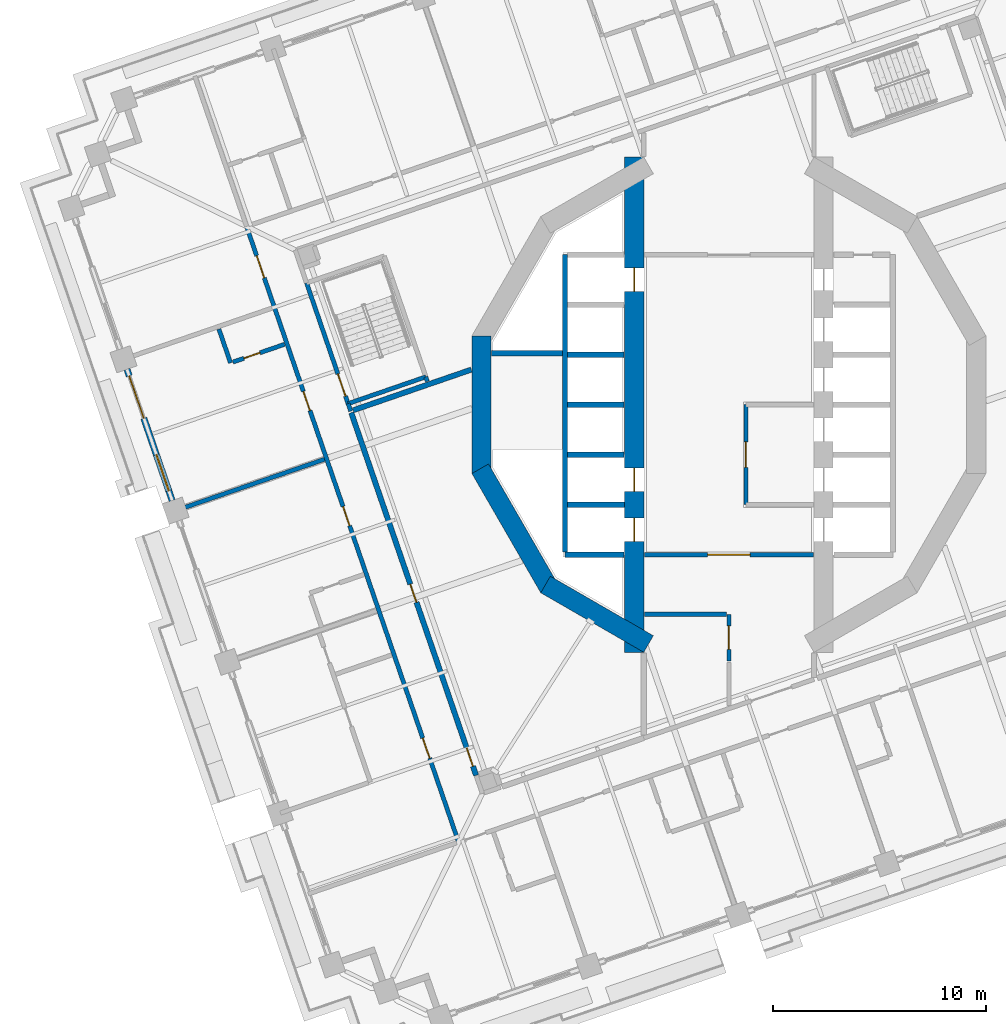
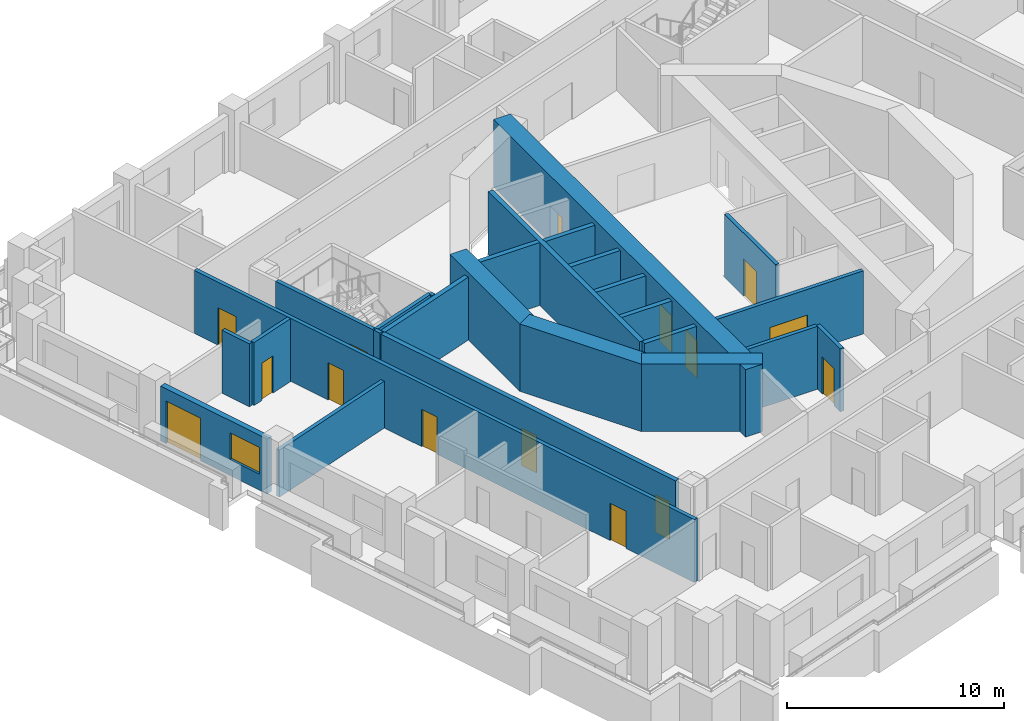
# One storey, part 5 of 19: 26 walls, 15 doors, 1 window, 16 openings.
"""IFC4 building model written with IfcOpenShell, lengths in metres."""

from ifc_helpers import new_model, si_unit, direction, frame, frame_2d, origin, place, context, subcontext, project, spatial, rectangle, extrude, material, layer, layer_set, type_object, element, fill, save


model = new_model("IFC4")

# Units and contexts
model_context = context("Model", 3, precision=1e-05, world=origin(), true_north=direction((0.0, 1.0)))
body_context = subcontext(model_context, "Body", "Model", "MODEL_VIEW")
ifc_project = project(units=[si_unit("LENGTHUNIT", "METRE"), si_unit("AREAUNIT", "SQUARE_METRE"), si_unit("VOLUMEUNIT", "CUBIC_METRE"), si_unit("PLANEANGLEUNIT", "RADIAN"), si_unit("MASSUNIT", "GRAM", prefix="KILO")], contexts=[model_context])

# Site, building, storey
site_placement = place(None, origin())
site = spatial("IfcSite", under=ifc_project, at=site_placement, CompositionType="ELEMENT")
building_placement = place(site_placement, origin())
building = spatial("IfcBuilding", under=site, at=building_placement, Name="Cantera Rosa Tower", CompositionType="ELEMENT")
storey_placement = place(building_placement, frame((0.0, 0.0, 111.699951171875)))
storey = spatial("IfcBuildingStorey", under=building, at=storey_placement, Name="L22", CompositionType="ELEMENT", Elevation=111.699951171875)

# Wall, openings, doors
ifc_material_1 = material(Name="Gypsum board partition")
ifc_layer_1 = layer(ifc_material_1, 0.199951171875)
ifc_layer_set_1 = layer_set([ifc_layer_1], Name="CORRIDOR WALL 200 H3550")
wall_type_1 = type_object("IfcWallType", Name="CORRIDOR WALL 200 H3550", PredefinedType="PARTITIONING", material=ifc_layer_set_1)
wall_1_placement = place(storey_placement, frame((-22.656005859375, 8.359375, 0.0), z_axis=(0.0, 0.0, 1.0), x_axis=(0.325572380533, -0.945517120434, 0.0)))
wall_1 = element("IfcWall", 1, at=wall_1_placement, inside=storey, type_object=wall_type_1, Name="CORRIDOR WALL L22-004", PredefinedType="PARTITIONING", context=body_context, shape_type="SweptSolid", body=[
    extrude(rectangle(XDim=30.580078125, YDim=0.199951171875, at=frame_2d((15.2900390625, 0.0))), origin(), (0.0, 0.0, 1.0), 3.550048828125),
])
opening_1_placement = place(wall_1_placement, frame((8.18505859375, 0.0, 0.0)))
opening_1 = element("IfcOpeningElement", 2, at=opening_1_placement, cuts=wall_1, Name="Opening L22-027", PredefinedType="OPENING", context=body_context, shape_type="SweptSolid", body=[
    extrude(rectangle(XDim=0.949951171875, YDim=2.10009765625, at=frame_2d((0.47509765625, 1.050048828125))), frame((0.0, 0.10986328125, 0.0), z_axis=(0.0, -1.0, 0.0), x_axis=(1.0, 0.0, 0.0)), (0.0, 0.0, 1.0), 0.219970703125),
])
opening_2_placement = place(wall_1_placement, frame((13.905029296875, 0.0, 0.0)))
opening_2 = element("IfcOpeningElement", 3, at=opening_2_placement, cuts=wall_1, Name="Opening L22-029", PredefinedType="OPENING", context=body_context, shape_type="SweptSolid", body=[
    extrude(rectangle(XDim=0.949951171875, YDim=2.10009765625, at=frame_2d((0.47509765625, 1.050048828125))), frame((0.0, 0.10986328125, 0.0), z_axis=(0.0, -1.0, 0.0), x_axis=(1.0, 0.0, 0.0)), (0.0, 0.0, 1.0), 0.219970703125),
])
opening_3_placement = place(wall_1_placement, frame((25.409912109375, 0.0, 0.0)))
opening_3 = element("IfcOpeningElement", 4, at=opening_3_placement, cuts=wall_1, Name="Opening L22-031", PredefinedType="OPENING", context=body_context, shape_type="SweptSolid", body=[
    extrude(rectangle(XDim=1.0, YDim=2.10009765625, at=frame_2d((0.5, 1.050048828125))), frame((0.0, 0.10986328125, 0.0), z_axis=(0.0, -1.0, 0.0), x_axis=(1.0, 0.0, 0.0)), (0.0, 0.0, 1.0), 0.219970703125),
])
opening_4_placement = place(wall_1_placement, frame((1.43994140625, 0.0, 0.0)))
opening_4 = element("IfcOpeningElement", 5, at=opening_4_placement, cuts=wall_1, Name="Opening L22-034", PredefinedType="OPENING", context=body_context, shape_type="SweptSolid", body=[
    extrude(rectangle(XDim=1.10009765625, YDim=2.10009765625, at=frame_2d((0.550048828125, 1.050048828125))), frame((0.0, 0.10986328125, 0.0), z_axis=(0.0, -1.0, 0.0), x_axis=(1.0, 0.0, 0.0)), (0.0, 0.0, 1.0), 0.219970703125),
])
ifc_material_2 = material(Name="Timber door leaf", Category="wood")
door_type_1 = type_object("IfcDoorType", Name="ENTRANCE DOOR 1000x2100", OperationType="NOTDEFINED", PredefinedType="DOOR", material=ifc_material_2)
door_1_placement = place(opening_3_placement, origin())
door_1 = element("IfcDoor", 6, at=door_1_placement, inside=storey, type_object=door_type_1, Name="DOOR L22-031", OperationType="NOTDEFINED", OverallHeight=2.10009765625, OverallWidth=1.0, PredefinedType="DOOR", context=body_context, shape_type="SweptSolid", body=[
    extrude(rectangle(XDim=1.0, YDim=2.10009765625, at=frame_2d((0.5, 1.050048828125))), frame((0.0, 0.02490234375, 0.0), z_axis=(0.0, -1.0, 0.0), x_axis=(1.0, 0.0, 0.0)), (0.0, 0.0, 1.0), 0.050048828125),
])
fill(opening_3, door_1)
ifc_material_3 = material(Name="Timber door leaf", Category="wood")
door_type_2 = type_object("IfcDoorType", Name="ROOM DOOR 1100x2100", OperationType="NOTDEFINED", PredefinedType="DOOR", material=ifc_material_3)
door_2_placement = place(opening_4_placement, origin())
door_2 = element("IfcDoor", 7, at=door_2_placement, inside=storey, type_object=door_type_2, Name="DOOR L22-034", OperationType="NOTDEFINED", OverallHeight=2.10009765625, OverallWidth=1.10009765625, PredefinedType="DOOR", context=body_context, shape_type="SweptSolid", body=[
    extrude(rectangle(XDim=1.10009765625, YDim=2.10009765625, at=frame_2d((0.550048828125, 1.050048828125))), frame((0.0, 0.02490234375, 0.0), z_axis=(0.0, -1.0, 0.0), x_axis=(1.0, 0.0, 0.0)), (0.0, 0.0, 1.0), 0.050048828125),
])
fill(opening_4, door_2)
ifc_material_4 = material(Name="Timber door leaf", Category="wood")
door_type_3 = type_object("IfcDoorType", Name="ROOM DOOR 950x2100", OperationType="NOTDEFINED", PredefinedType="DOOR", material=ifc_material_4)
door_3_placement = place(opening_1_placement, origin())
door_3 = element("IfcDoor", 8, at=door_3_placement, inside=storey, type_object=door_type_3, Name="DOOR L22-027", OperationType="NOTDEFINED", OverallHeight=2.10009765625, OverallWidth=0.949951171875, PredefinedType="DOOR", context=body_context, shape_type="SweptSolid", body=[
    extrude(rectangle(XDim=0.949951171875, YDim=2.10009765625, at=frame_2d((0.47509765625, 1.050048828125))), frame((0.0, 0.02490234375, 0.0), z_axis=(0.0, -1.0, 0.0), x_axis=(1.0, 0.0, 0.0)), (0.0, 0.0, 1.0), 0.050048828125),
])
fill(opening_1, door_3)
door_4_placement = place(opening_2_placement, origin())
door_4 = element("IfcDoor", 9, at=door_4_placement, inside=storey, type_object=door_type_3, Name="DOOR L22-029", OperationType="NOTDEFINED", OverallHeight=2.10009765625, OverallWidth=0.949951171875, PredefinedType="DOOR", context=body_context, shape_type="SweptSolid", body=[
    extrude(rectangle(XDim=0.949951171875, YDim=2.10009765625, at=frame_2d((0.47509765625, 1.050048828125))), frame((0.0, 0.02490234375, 0.0), z_axis=(0.0, -1.0, 0.0), x_axis=(1.0, 0.0, 0.0)), (0.0, 0.0, 1.0), 0.050048828125),
])
fill(opening_2, door_4)

# Wall
wall_2_placement = place(storey_placement, frame((-17.8916015625, 0.05126953125, 0.0), z_axis=(0.0, 0.0, 1.0), x_axis=(0.325627937911, -0.945497988391, 0.0)))
element("IfcWall", 10, at=wall_2_placement, inside=storey, type_object=wall_type_1, Name="CORRIDOR WALL L22-018", PredefinedType="PARTITIONING", context=body_context, shape_type="SweptSolid", body=[
    extrude(rectangle(XDim=0.373291015625, YDim=0.199951171875, at=frame_2d((0.1865234375, 0.0))), origin(), (0.0, 0.0, 1.0), 3.550048828125),
])

# Wall, opening, door
wall_3_placement = place(storey_placement, frame((0.0, -12.044189453125, 0.0), z_axis=(0.0, 0.0, 1.0), x_axis=(0.0, 1.0, 0.0)))
wall_3 = element("IfcWall", 11, at=wall_3_placement, inside=storey, type_object=wall_type_1, Name="CORRIDOR WALL L22-061", PredefinedType="PARTITIONING", context=body_context, shape_type="SweptSolid", body=[
    extrude(rectangle(XDim=2.194091796875, YDim=0.199951171875, at=frame_2d((1.09716796875, 0.0))), origin(), (0.0, 0.0, 1.0), 3.550048828125),
])
opening_5_placement = place(wall_3_placement, frame((0.547119140625, 0.0, 0.0)))
opening_5 = element("IfcOpeningElement", 12, at=opening_5_placement, cuts=wall_3, Name="Opening L22-012", PredefinedType="OPENING", context=body_context, shape_type="SweptSolid", body=[
    extrude(rectangle(XDim=1.10009765625, YDim=2.10009765625, at=frame_2d((0.550048828125, 1.050048828125))), frame((0.0, 0.10986328125, 0.0), z_axis=(0.0, -1.0, 0.0), x_axis=(1.0, 0.0, 0.0)), (0.0, 0.0, 1.0), 0.219970703125),
])
door_5_placement = place(opening_5_placement, origin())
door_5 = element("IfcDoor", 13, at=door_5_placement, inside=storey, type_object=door_type_2, Name="DOOR L22-012", OperationType="NOTDEFINED", OverallHeight=2.10009765625, OverallWidth=1.10009765625, PredefinedType="DOOR", context=body_context, shape_type="SweptSolid", body=[
    extrude(rectangle(XDim=1.10009765625, YDim=2.10009765625, at=frame_2d((0.550048828125, 1.050048828125))), frame((0.0, 0.02490234375, 0.0), z_axis=(0.0, -1.0, 0.0), x_axis=(1.0, 0.0, 0.0)), (0.0, 0.0, 1.0), 0.050048828125),
])
fill(opening_5, door_5)

# Wall
wall_4_placement = place(storey_placement, frame((-0.10009765625, -9.85009765625, 0.0), z_axis=(0.0, 0.0, 1.0), x_axis=(-1.0, 0.0, 0.0)))
element("IfcWall", 14, at=wall_4_placement, inside=storey, type_object=wall_type_1, Name="CORRIDOR WALL L22-062", PredefinedType="PARTITIONING", context=body_context, shape_type="SweptSolid", body=[
    extrude(rectangle(XDim=3.869873046875, YDim=0.199951171875, at=frame_2d((1.93505859375, 0.0))), origin(), (0.0, 0.0, 1.0), 3.550048828125),
])

# Wall, opening, door
wall_5_placement = place(storey_placement, frame((3.969970703125, -7.050048828125, 0.0), z_axis=(0.0, 0.0, 1.0), x_axis=(-1.0, 0.0, 0.0)))
wall_5 = element("IfcWall", 15, at=wall_5_placement, inside=storey, type_object=wall_type_1, Name="CORRIDOR WALL L22-066", PredefinedType="PARTITIONING", context=body_context, shape_type="SweptSolid", body=[
    extrude(rectangle(XDim=7.93994140625, YDim=0.199951171875, at=frame_2d((3.969970703125, 0.0))), origin(), (0.0, 0.0, 1.0), 3.550048828125),
])
opening_6_placement = place(wall_5_placement, frame((2.969970703125, 0.0, 0.0)))
opening_6 = element("IfcOpeningElement", 16, at=opening_6_placement, cuts=wall_5, Name="Opening L22-010", PredefinedType="OPENING", context=body_context, shape_type="SweptSolid", body=[
    extrude(rectangle(XDim=2.0, YDim=2.10009765625, at=frame_2d((1.0, 1.050048828125))), frame((0.0, 0.10986328125, 0.0), z_axis=(0.0, -1.0, 0.0), x_axis=(1.0, 0.0, 0.0)), (0.0, 0.0, 1.0), 0.219970703125),
])
ifc_material_5 = material(Name="Steel S355J2 (EN 10025-2)", Category="steel")
door_type_4 = type_object("IfcDoorType", Name="LOBBY SCREEN DOOR 2000x2100", OperationType="NOTDEFINED", PredefinedType="DOOR", material=ifc_material_5)
door_6_placement = place(opening_6_placement, origin())
door_6 = element("IfcDoor", 17, at=door_6_placement, inside=storey, type_object=door_type_4, Name="DOOR L22-010", OperationType="NOTDEFINED", OverallHeight=2.10009765625, OverallWidth=2.0, PredefinedType="DOOR", context=body_context, shape_type="SweptSolid", body=[
    extrude(rectangle(XDim=2.0, YDim=2.10009765625, at=frame_2d((1.0, 1.050048828125))), frame((0.0, 0.02490234375, 0.0), z_axis=(0.0, -1.0, 0.0), x_axis=(1.0, 0.0, 0.0)), (0.0, 0.0, 1.0), 0.050048828125),
])
fill(opening_6, door_6)

# Wall, openings, window, door
ifc_material_6 = material(Name="Hollow clay masonry with cantera stone cladding", Category="masonry")
ifc_layer_2 = layer(ifc_material_6, 0.300048828125)
ifc_layer_set_2 = layer_set([ifc_layer_2], Name="EW-LOGGIA 300 H3090")
wall_type_2 = type_object("IfcWallType", Name="EW-LOGGIA 300 H3090", PredefinedType="SOLIDWALL", material=ifc_layer_set_2)
wall_6_placement = place(storey_placement, frame((-28.2822265625, 1.662841796875, 0.0), z_axis=(0.0, 0.0, 1.0), x_axis=(0.325580990241, -0.945514155787, 0.0)))
wall_6 = element("IfcWall", 18, at=wall_6_placement, inside=storey, type_object=wall_type_2, Name="EN-L22-W17", PredefinedType="SOLIDWALL", context=body_context, shape_type="SweptSolid", body=[
    extrude(rectangle(XDim=6.52001953125, YDim=0.300048828125, at=frame_2d((3.260009765625, 0.0))), origin(), (0.0, 0.0, 1.0), 3.090087890625),
])
opening_7_placement = place(wall_6_placement, frame((0.330078125, 0.0, 0.0)))
opening_7 = element("IfcOpeningElement", 19, at=opening_7_placement, cuts=wall_6, Name="Opening L22-TD21", PredefinedType="OPENING", context=body_context, shape_type="SweptSolid", body=[
    extrude(rectangle(XDim=2.10009765625, YDim=2.39990234375, at=frame_2d((1.050048828125, 1.199951171875))), frame((0.0, 0.159912109375, 0.0), z_axis=(0.0, -1.0, 0.0), x_axis=(1.0, 0.0, 0.0)), (0.0, 0.0, 1.0), 0.320068359375),
])
opening_8_placement = place(wall_6_placement, frame((4.239990234375, 0.0, 0.89990234375)))
opening_8 = element("IfcOpeningElement", 20, at=opening_8_placement, cuts=wall_6, Name="Opening L22-W22", PredefinedType="OPENING", context=body_context, shape_type="SweptSolid", body=[
    extrude(rectangle(XDim=1.800048828125, YDim=1.5, at=frame_2d((0.89990234375, 0.75))), frame((0.0, 0.159912109375, 0.0), z_axis=(0.0, -1.0, 0.0), x_axis=(1.0, 0.0, 0.0)), (0.0, 0.0, 1.0), 0.320068359375),
])
ifc_material_7 = material(Name="Aluminium frame with clear glass", Category="aluminium")
window_type = type_object("IfcWindowType", Name="Hotel room window 1800x1500", PartitioningType="DOUBLE_PANEL_VERTICAL", PredefinedType="WINDOW", material=ifc_material_7)
window_placement = place(opening_8_placement, origin())
window = element("IfcWindow", 21, at=window_placement, inside=storey, type_object=window_type, Name="WINDOW L22-W22", OverallHeight=1.5, OverallWidth=1.800048828125, PartitioningType="SINGLE_PANEL", PredefinedType="WINDOW", context=body_context, shape_type="SweptSolid", body=[
    extrude(rectangle(XDim=1.800048828125, YDim=1.5, at=frame_2d((0.89990234375, 0.75))), frame((0.0, 0.030029296875, 0.0), z_axis=(0.0, -1.0, 0.0), x_axis=(1.0, 0.0, 0.0)), (0.0, 0.0, 1.0), 0.06005859375),
])
fill(opening_8, window)
ifc_material_8 = material(Name="Aluminium frame with clear glass", Category="aluminium")
door_type_5 = type_object("IfcDoorType", Name="TD-H 2100x2400", OperationType="NOTDEFINED", PredefinedType="DOOR", material=ifc_material_8)
door_7_placement = place(opening_7_placement, origin())
door_7 = element("IfcDoor", 22, at=door_7_placement, inside=storey, type_object=door_type_5, Name="LOGGIA DOOR L22-TD21", OperationType="SLIDING_TO_LEFT", OverallHeight=2.39990234375, OverallWidth=2.10009765625, PredefinedType="DOOR", context=body_context, shape_type="SweptSolid", body=[
    extrude(rectangle(XDim=2.10009765625, YDim=2.39990234375, at=frame_2d((1.050048828125, 1.199951171875))), frame((0.0, 0.02490234375, 0.0), z_axis=(0.0, -1.0, 0.0), x_axis=(1.0, 0.0, 0.0)), (0.0, 0.0, 1.0), 0.050048828125),
])
fill(opening_7, door_7)

# Wall
ifc_material_9 = material(Name="Gypsum board partition")
ifc_layer_3 = layer(ifc_material_9, 0.199951171875)
ifc_layer_set_3 = layer_set([ifc_layer_3], Name="PARTITION 200 H3550")
wall_type_3 = type_object("IfcWallType", Name="PARTITION 200 H3550", PredefinedType="PARTITIONING", material=ifc_layer_set_3)
wall_7_placement = place(storey_placement, frame((-23.4150390625, 1.9638671875, 0.0), z_axis=(0.0, 0.0, 1.0), x_axis=(-0.325542759796, 0.945527319301, 0.0)))
element("IfcWall", 23, at=wall_7_placement, inside=storey, type_object=wall_type_3, Name="PARTITION L22-002", PredefinedType="PARTITIONING", context=body_context, shape_type="SweptSolid", body=[
    extrude(rectangle(XDim=1.679931640625, YDim=0.199951171875, at=frame_2d((0.83984375, 0.0))), origin(), (0.0, 0.0, 1.0), 3.550048828125),
])

# Wall, opening, door
wall_8_placement = place(storey_placement, frame((-20.881103515625, 2.836181640625, 0.0), z_axis=(0.0, 0.0, 1.0), x_axis=(-0.945538067089, -0.325511541555, 0.0)))
wall_8 = element("IfcWall", 24, at=wall_8_placement, inside=storey, type_object=wall_type_3, Name="PARTITION L22-007", PredefinedType="PARTITIONING", context=body_context, shape_type="SweptSolid", body=[
    extrude(rectangle(XDim=2.559814453125, YDim=0.199951171875, at=frame_2d((1.27978515625, 0.0))), origin(), (0.0, 0.0, 1.0), 3.550048828125),
])
opening_9_placement = place(wall_8_placement, frame((1.216064453125, 0.0, 0.0)))
opening_9 = element("IfcOpeningElement", 25, at=opening_9_placement, cuts=wall_8, Name="Opening L22-028", PredefinedType="OPENING", context=body_context, shape_type="SweptSolid", body=[
    extrude(rectangle(XDim=0.800048828125, YDim=2.10009765625, at=frame_2d((0.39990234375, 1.050048828125))), frame((0.0, 0.10986328125, 0.0), z_axis=(0.0, -1.0, 0.0), x_axis=(1.0, 0.0, 0.0)), (0.0, 0.0, 1.0), 0.219970703125),
])
ifc_material_10 = material(Name="Timber door leaf", Category="wood")
door_type_6 = type_object("IfcDoorType", Name="BATHROOM DOOR 800x2100", OperationType="NOTDEFINED", PredefinedType="DOOR", material=ifc_material_10)
door_8_placement = place(opening_9_placement, origin())
door_8 = element("IfcDoor", 26, at=door_8_placement, inside=storey, type_object=door_type_6, Name="DOOR L22-028", OperationType="NOTDEFINED", OverallHeight=2.10009765625, OverallWidth=0.800048828125, PredefinedType="DOOR", context=body_context, shape_type="SweptSolid", body=[
    extrude(rectangle(XDim=0.800048828125, YDim=2.10009765625, at=frame_2d((0.39990234375, 1.050048828125))), frame((0.0, 0.02490234375, 0.0), z_axis=(0.0, -1.0, 0.0), x_axis=(1.0, 0.0, 0.0)), (0.0, 0.0, 1.0), 0.050048828125),
])
fill(opening_9, door_8)

# Walls
wall_9_placement = place(storey_placement, frame((-14.165283203125, 1.0927734375, 0.0), z_axis=(0.0, 0.0, 1.0), x_axis=(-0.324870696456, 0.945758441984, 0.0)))
element("IfcWall", 27, at=wall_9_placement, inside=storey, type_object=wall_type_3, Name="PARTITION L22-027", PredefinedType="PARTITIONING", context=body_context, shape_type="SweptSolid", body=[
    extrude(rectangle(XDim=0.228515625, YDim=0.199951171875, at=frame_2d((0.1142578125, 0.0))), origin(), (0.0, 0.0, 1.0), 3.550048828125),
])
ifc_material_11 = material(Name="Gypsum board partition")
ifc_layer_4 = layer(ifc_material_11, 0.199951171875)
ifc_layer_set_4 = layer_set([ifc_layer_4], Name="PARTY WALL 200 H2650")
wall_type_4 = type_object("IfcWallType", Name="PARTY WALL 200 H2650", PredefinedType="PARTITIONING", material=ifc_layer_set_4)
wall_10_placement = place(storey_placement, frame((-19.0, -2.5654296875, 0.0), z_axis=(0.0, 0.0, 1.0), x_axis=(-0.945509836983, -0.325593532134, 0.0)))
element("IfcWall", 28, at=wall_10_placement, inside=storey, type_object=wall_type_4, Name="PARTY WALL L22-017", PredefinedType="PARTITIONING", context=body_context, shape_type="SweptSolid", body=[
    extrude(rectangle(XDim=7.3701171875, YDim=0.199951171875, at=frame_2d((3.68505859375, 0.0))), origin(), (0.0, 0.0, 1.0), 2.650146484375),
])
ifc_material_12 = material(Name="Concrete C70/85", Category="concrete")
ifc_layer_5 = layer(ifc_material_12, 0.89990234375)
ifc_layer_set_5 = layer_set([ifc_layer_5], Name="RC CORE WALL 900 C70/85")
wall_type_5 = type_object("IfcWallType", Name="RC CORE WALL 900 C70/85", PredefinedType="SHEAR", material=ifc_layer_set_5)
wall_11_placement = place(storey_placement, frame((-3.77490234375, -11.242919921875, 0.0), z_axis=(0.0, 0.0, 1.0), x_axis=(-0.866026961591, 0.49999730179, 0.0)))
element("IfcWall", 29, at=wall_11_placement, inside=storey, type_object=wall_type_5, Name="CW-W1 L22", PredefinedType="SHEAR", context=body_context, shape_type="SweptSolid", body=[
    extrude(rectangle(XDim=5.58740234375, YDim=0.89990234375, at=frame_2d((2.793701171875, 0.0))), origin(), (0.0, 0.0, 1.0), 3.800048828125),
])
wall_12_placement = place(storey_placement, frame((-8.44921875, -8.61376953125, 0.0), z_axis=(0.0, 0.0, 1.0), x_axis=(-0.499990282633, 0.866031014036, 0.0)))
element("IfcWall", 30, at=wall_12_placement, inside=storey, type_object=wall_type_5, Name="CW-W2 L22", PredefinedType="SHEAR", context=body_context, shape_type="SweptSolid", body=[
    extrude(rectangle(XDim=6.470458984375, YDim=0.89990234375, at=frame_2d((3.2353515625, 0.0))), origin(), (0.0, 0.0, 1.0), 3.800048828125),
])
wall_13_placement = place(storey_placement, frame((-11.6240234375, -3.2353515625, 0.0), z_axis=(0.0, 0.0, 1.0), x_axis=(0.0, 1.0, 0.0)))
element("IfcWall", 31, at=wall_13_placement, inside=storey, type_object=wall_type_5, Name="CW-W3 L22", PredefinedType="SHEAR", context=body_context, shape_type="SweptSolid", body=[
    extrude(rectangle(XDim=6.470703125, YDim=0.89990234375, at=frame_2d((3.2353515625, 0.0))), origin(), (0.0, 0.0, 1.0), 3.800048828125),
])

# Wall, openings, doors
wall_14_placement = place(storey_placement, frame((-4.449951171875, 11.632568359375, 0.0), z_axis=(0.0, 0.0, 1.0), x_axis=(0.0, -1.0, 0.0)))
wall_14 = element("IfcWall", 32, at=wall_14_placement, inside=storey, type_object=wall_type_5, Name="CW-W6 L22", PredefinedType="SHEAR", context=body_context, shape_type="SweptSolid", body=[
    extrude(rectangle(XDim=23.26513671875, YDim=0.89990234375, at=frame_2d((11.632568359375, 0.0))), origin(), (0.0, 0.0, 1.0), 3.800048828125),
])
opening_10_placement = place(wall_14_placement, frame((14.607421875, 0.0, 0.0)))
opening_10 = element("IfcOpeningElement", 33, at=opening_10_placement, cuts=wall_14, Name="Opening LD-P3-L22", PredefinedType="OPENING", context=body_context, shape_type="SweptSolid", body=[
    extrude(rectangle(XDim=1.10009765625, YDim=2.10009765625, at=frame_2d((0.550048828125, 1.050048828125))), frame((0.0, 0.4599609375, 0.0), z_axis=(0.0, -1.0, 0.0), x_axis=(1.0, 0.0, 0.0)), (0.0, 0.0, 1.0), 0.919921875),
])
opening_11_placement = place(wall_14_placement, frame((16.95751953125, 0.0, 0.0)))
opening_11 = element("IfcOpeningElement", 34, at=opening_11_placement, cuts=wall_14, Name="Opening LD-P4-L22", PredefinedType="OPENING", context=body_context, shape_type="SweptSolid", body=[
    extrude(rectangle(XDim=1.10009765625, YDim=2.10009765625, at=frame_2d((0.550048828125, 1.050048828125))), frame((0.0, 0.4599609375, 0.0), z_axis=(0.0, -1.0, 0.0), x_axis=(1.0, 0.0, 0.0)), (0.0, 0.0, 1.0), 0.919921875),
])
opening_12_placement = place(wall_14_placement, frame((5.20751953125, 0.0, 0.0)))
opening_12 = element("IfcOpeningElement", 35, at=opening_12_placement, cuts=wall_14, Name="Opening LD-P5-L22", PredefinedType="OPENING", context=body_context, shape_type="SweptSolid", body=[
    extrude(rectangle(XDim=1.10009765625, YDim=2.10009765625, at=frame_2d((0.550048828125, 1.050048828125))), frame((0.0, 0.4599609375, 0.0), z_axis=(0.0, -1.0, 0.0), x_axis=(1.0, 0.0, 0.0)), (0.0, 0.0, 1.0), 0.919921875),
])
ifc_material_13 = material(Name="Steel S355J2 (EN 10025-2)", Category="steel")
door_type_7 = type_object("IfcDoorType", Name="LANDING DOOR 1100x2100", OperationType="NOTDEFINED", PredefinedType="DOOR", material=ifc_material_13)
door_9_placement = place(opening_10_placement, origin())
door_9 = element("IfcDoor", 36, at=door_9_placement, inside=storey, type_object=door_type_7, Name="LANDING DOOR P3 L22", OperationType="SLIDING_TO_LEFT", OverallHeight=2.10009765625, OverallWidth=1.10009765625, PredefinedType="DOOR", context=body_context, shape_type="SweptSolid", body=[
    extrude(rectangle(XDim=1.10009765625, YDim=2.10009765625, at=frame_2d((0.550048828125, 1.050048828125))), frame((0.0, 0.02490234375, 0.0), z_axis=(0.0, -1.0, 0.0), x_axis=(1.0, 0.0, 0.0)), (0.0, 0.0, 1.0), 0.050048828125),
])
fill(opening_10, door_9)
door_10_placement = place(opening_11_placement, origin())
door_10 = element("IfcDoor", 37, at=door_10_placement, inside=storey, type_object=door_type_7, Name="LANDING DOOR P4 L22", OperationType="SLIDING_TO_LEFT", OverallHeight=2.10009765625, OverallWidth=1.10009765625, PredefinedType="DOOR", context=body_context, shape_type="SweptSolid", body=[
    extrude(rectangle(XDim=1.10009765625, YDim=2.10009765625, at=frame_2d((0.550048828125, 1.050048828125))), frame((0.0, 0.02490234375, 0.0), z_axis=(0.0, -1.0, 0.0), x_axis=(1.0, 0.0, 0.0)), (0.0, 0.0, 1.0), 0.050048828125),
])
fill(opening_11, door_10)
door_11_placement = place(opening_12_placement, origin())
door_11 = element("IfcDoor", 38, at=door_11_placement, inside=storey, type_object=door_type_7, Name="LANDING DOOR P5 L22", OperationType="SLIDING_TO_LEFT", OverallHeight=2.10009765625, OverallWidth=1.10009765625, PredefinedType="DOOR", context=body_context, shape_type="SweptSolid", body=[
    extrude(rectangle(XDim=1.10009765625, YDim=2.10009765625, at=frame_2d((0.550048828125, 1.050048828125))), frame((0.0, 0.02490234375, 0.0), z_axis=(0.0, -1.0, 0.0), x_axis=(1.0, 0.0, 0.0)), (0.0, 0.0, 1.0), 0.050048828125),
])
fill(opening_12, door_11)

# Wall
ifc_material_14 = material(Name="Masonry blockwork", Category="masonry")
ifc_layer_6 = layer(ifc_material_14, 0.25)
ifc_layer_set_6 = layer_set([ifc_layer_6], Name="SHAFT WALL 250 H3550")
wall_type_6 = type_object("IfcWallType", Name="SHAFT WALL 250 H3550", PredefinedType="SOLIDWALL", material=ifc_layer_set_6)
wall_15_placement = place(storey_placement, frame((-17.656494140625, -0.2626953125, 0.0), z_axis=(0.0, 0.0, 1.0), x_axis=(0.945519124738, 0.325566559637, 0.0)))
element("IfcWall", 39, at=wall_15_placement, inside=storey, type_object=wall_type_6, Name="SHAFT WALL L22-019", PredefinedType="SOLIDWALL", context=body_context, shape_type="SweptSolid", body=[
    extrude(rectangle(XDim=5.872314453125, YDim=0.25, at=frame_2d((2.93603515625, 0.0))), origin(), (0.0, 0.0, 1.0), 3.550048828125),
])

# Wall, openings, doors
wall_16_placement = place(storey_placement, frame((-17.743896484375, -0.37744140625, 0.0), z_axis=(0.0, 0.0, 1.0), x_axis=(0.325568935993, -0.945518306495, 0.0)))
wall_16 = element("IfcWall", 40, at=wall_16_placement, inside=storey, type_object=wall_type_6, Name="SHAFT WALL L22-020", PredefinedType="SOLIDWALL", context=body_context, shape_type="SweptSolid", body=[
    extrude(rectangle(XDim=18.019775390625, YDim=0.25, at=frame_2d((9.009765625, 0.0))), origin(), (0.0, 0.0, 1.0), 3.550048828125),
])
opening_13_placement = place(wall_16_placement, frame((16.6650390625, 0.0, 0.0)))
opening_13 = element("IfcOpeningElement", 41, at=opening_13_placement, cuts=wall_16, Name="Opening L22-005", PredefinedType="OPENING", context=body_context, shape_type="SweptSolid", body=[
    extrude(rectangle(XDim=0.89990234375, YDim=2.10009765625, at=frame_2d((0.449951171875, 1.050048828125))), frame((0.0, 0.135009765625, 0.0), z_axis=(0.0, -1.0, 0.0), x_axis=(1.0, 0.0, 0.0)), (0.0, 0.0, 1.0), 0.27001953125),
])
opening_14_placement = place(wall_16_placement, frame((8.52001953125, 0.0, 0.0)))
opening_14 = element("IfcOpeningElement", 42, at=opening_14_placement, cuts=wall_16, Name="Opening L22-046", PredefinedType="OPENING", context=body_context, shape_type="SweptSolid", body=[
    extrude(rectangle(XDim=0.89990234375, YDim=2.10009765625, at=frame_2d((0.449951171875, 1.050048828125))), frame((0.0, 0.135009765625, 0.0), z_axis=(0.0, -1.0, 0.0), x_axis=(1.0, 0.0, 0.0)), (0.0, 0.0, 1.0), 0.27001953125),
])
ifc_material_15 = material(Name="Timber door leaf", Category="wood")
door_type_8 = type_object("IfcDoorType", Name="SERVICE DOOR 900x2100", OperationType="NOTDEFINED", PredefinedType="DOOR", material=ifc_material_15)
door_12_placement = place(opening_13_placement, origin())
door_12 = element("IfcDoor", 43, at=door_12_placement, inside=storey, type_object=door_type_8, Name="RISER DOOR L22-005", OperationType="NOTDEFINED", OverallHeight=2.10009765625, OverallWidth=0.89990234375, PredefinedType="DOOR", context=body_context, shape_type="SweptSolid", body=[
    extrude(rectangle(XDim=0.89990234375, YDim=2.10009765625, at=frame_2d((0.449951171875, 1.050048828125))), frame((0.0, 0.02490234375, 0.0), z_axis=(0.0, -1.0, 0.0), x_axis=(1.0, 0.0, 0.0)), (0.0, 0.0, 1.0), 0.050048828125),
])
fill(opening_13, door_12)
door_13_placement = place(opening_14_placement, origin())
door_13 = element("IfcDoor", 44, at=door_13_placement, inside=storey, type_object=door_type_8, Name="RISER DOOR L22-046", OperationType="NOTDEFINED", OverallHeight=2.10009765625, OverallWidth=0.89990234375, PredefinedType="DOOR", context=body_context, shape_type="SweptSolid", body=[
    extrude(rectangle(XDim=0.89990234375, YDim=2.10009765625, at=frame_2d((0.449951171875, 1.050048828125))), frame((0.0, 0.02490234375, 0.0), z_axis=(0.0, -1.0, 0.0), x_axis=(1.0, 0.0, 0.0)), (0.0, 0.0, 1.0), 0.050048828125),
])
fill(opening_14, door_13)

# Walls
wall_17_placement = place(storey_placement, frame((-11.14404296875, 2.417724609375, 0.0), z_axis=(0.0, 0.0, 1.0), x_axis=(1.0, 0.0, 0.0)))
element("IfcWall", 45, at=wall_17_placement, inside=storey, type_object=wall_type_6, Name="SHAFT WALL L22-032", PredefinedType="SOLIDWALL", context=body_context, shape_type="SweptSolid", body=[
    extrude(rectangle(XDim=3.319091796875, YDim=0.25, at=frame_2d((1.65966796875, 0.0))), origin(), (0.0, 0.0, 1.0), 3.550048828125),
])
wall_18_placement = place(storey_placement, frame((-7.699951171875, -7.050048828125, 0.0), z_axis=(0.0, 0.0, 1.0), x_axis=(1.0, 0.0, 0.0)))
element("IfcWall", 46, at=wall_18_placement, inside=storey, type_object=wall_type_6, Name="SHAFT WALL L22-038", PredefinedType="SOLIDWALL", context=body_context, shape_type="SweptSolid", body=[
    extrude(rectangle(XDim=2.77001953125, YDim=0.25, at=frame_2d((1.385009765625, 0.0))), origin(), (0.0, 0.0, 1.0), 3.550048828125),
])
wall_19_placement = place(storey_placement, frame((-7.574951171875, -4.699951171875, 0.0), z_axis=(0.0, 0.0, 1.0), x_axis=(1.0, 0.0, 0.0)))
element("IfcWall", 47, at=wall_19_placement, inside=storey, type_object=wall_type_6, Name="SHAFT WALL L22-039", PredefinedType="SOLIDWALL", context=body_context, shape_type="SweptSolid", body=[
    extrude(rectangle(XDim=2.675048828125, YDim=0.25, at=frame_2d((1.33740234375, 0.0))), origin(), (0.0, 0.0, 1.0), 3.550048828125),
])
for number, where, z_axis, x_axis, name in (
    (48, (-7.574951171875, -2.35009765625, 0.0), (0.0, 0.0, 1.0), (1.0, 0.0, 0.0), "SHAFT WALL L22-040"),
    (49, (-7.574951171875, 0.0, 0.0), (0.0, 0.0, 1.0), (1.0, 0.0, 0.0), "SHAFT WALL L22-041"),
    (50, (-7.574951171875, 2.35009765625, 0.0), (0.0, 0.0, 1.0), (1.0, 0.0, 0.0), "SHAFT WALL L22-042"),
):
    element("IfcWall", number, at=place(storey_placement, frame(where, z_axis=z_axis, x_axis=x_axis)), inside=storey, type_object=wall_type_6, Name=name, PredefinedType="SOLIDWALL", context=body_context, shape_type="SweptSolid", body=[
        extrude(rectangle(XDim=2.64501953125, YDim=0.25, at=frame_2d((1.322509765625, 0.0))), origin(), (0.0, 0.0, 1.0), 3.550048828125),
    ])
wall_20_placement = place(storey_placement, frame((-7.699951171875, 7.050048828125, 0.0), z_axis=(0.0, 0.0, 1.0), x_axis=(0.0, -1.0, 0.0)))
element("IfcWall", 51, at=wall_20_placement, inside=storey, type_object=wall_type_6, Name="SHAFT WALL L22-044", PredefinedType="SOLIDWALL", context=body_context, shape_type="SweptSolid", body=[
    extrude(rectangle(XDim=13.97998046875, YDim=0.25, at=frame_2d((6.989990234375, 0.0))), origin(), (0.0, 0.0, 1.0), 3.550048828125),
])

# Wall, opening, door
ifc_material_16 = material(Name="Concrete C50/60", Category="concrete")
ifc_layer_7 = layer(ifc_material_16, 0.199951171875)
ifc_layer_set_7 = layer_set([ifc_layer_7], Name="STAIR WALL 200 H3550")
wall_type_7 = type_object("IfcWallType", Name="STAIR WALL 200 H3550", PredefinedType="SOLIDWALL", material=ifc_layer_set_7)
wall_21_placement = place(storey_placement, frame((-19.844970703125, 5.724365234375, 0.0), z_axis=(0.0, 0.0, 1.0), x_axis=(0.325563034341, -0.945520338581, 0.0)))
wall_21 = element("IfcWall", 52, at=wall_21_placement, inside=storey, type_object=wall_type_7, Name="STAIR WALL L22-011", PredefinedType="SOLIDWALL", context=body_context, shape_type="SweptSolid", body=[
    extrude(rectangle(XDim=6.0, YDim=0.199951171875, at=frame_2d((3.0, 0.0))), origin(), (0.0, 0.0, 1.0), 3.550048828125),
])
opening_15_placement = place(wall_21_placement, frame((4.52490234375, 0.0, 0.0)))
opening_15 = element("IfcOpeningElement", 53, at=opening_15_placement, cuts=wall_21, Name="Opening L22-002", PredefinedType="OPENING", context=body_context, shape_type="SweptSolid", body=[
    extrude(rectangle(XDim=1.10009765625, YDim=2.10009765625, at=frame_2d((0.550048828125, 1.050048828125))), frame((0.0, 0.10986328125, 0.0), z_axis=(0.0, -1.0, 0.0), x_axis=(1.0, 0.0, 0.0)), (0.0, 0.0, 1.0), 0.219970703125),
])
ifc_material_17 = material(Name="Steel S355J2 (EN 10025-2)", Category="steel")
door_type_9 = type_object("IfcDoorType", Name="STAIR DOOR 1100x2100", OperationType="NOTDEFINED", PredefinedType="DOOR", material=ifc_material_17)
door_14_placement = place(opening_15_placement, origin())
door_14 = element("IfcDoor", 54, at=door_14_placement, inside=storey, type_object=door_type_9, Name="DOOR L22-002", OperationType="NOTDEFINED", OverallHeight=2.10009765625, OverallWidth=1.10009765625, PredefinedType="DOOR", context=body_context, shape_type="SweptSolid", body=[
    extrude(rectangle(XDim=1.10009765625, YDim=2.10009765625, at=frame_2d((0.550048828125, 1.050048828125))), frame((0.0, 0.02490234375, 0.0), z_axis=(0.0, -1.0, 0.0), x_axis=(1.0, 0.0, 0.0)), (0.0, 0.0, 1.0), 0.050048828125),
])
fill(opening_15, door_14)

# Wall
wall_22_placement = place(storey_placement, frame((-14.239501953125, 1.308837890625, 0.0), z_axis=(0.0, 0.0, 1.0), x_axis=(-0.945514621213, -0.325579638603, 0.0)))
element("IfcWall", 55, at=wall_22_placement, inside=storey, type_object=wall_type_7, Name="STAIR WALL L22-025", PredefinedType="SOLIDWALL", context=body_context, shape_type="SweptSolid", body=[
    extrude(rectangle(XDim=3.862548828125, YDim=0.199951171875, at=frame_2d((1.93115234375, 0.0))), origin(), (0.0, 0.0, 1.0), 3.550048828125),
])

# Wall, opening, door
wall_23_placement = place(storey_placement, frame((0.800048828125, -4.699951171875, 0.0), z_axis=(0.0, 0.0, 1.0), x_axis=(0.0, 1.0, 0.0)))
wall_23 = element("IfcWall", 56, at=wall_23_placement, inside=storey, type_object=wall_type_7, Name="STAIR WALL L22-064", PredefinedType="SOLIDWALL", context=body_context, shape_type="SweptSolid", body=[
    extrude(rectangle(XDim=4.699951171875, YDim=0.199951171875, at=frame_2d((2.35009765625, 0.0))), origin(), (0.0, 0.0, 1.0), 3.550048828125),
])
opening_16_placement = place(wall_23_placement, frame((1.75, 0.0, 0.0)))
opening_16 = element("IfcOpeningElement", 57, at=opening_16_placement, cuts=wall_23, Name="Opening L22-011", PredefinedType="OPENING", context=body_context, shape_type="SweptSolid", body=[
    extrude(rectangle(XDim=1.199951171875, YDim=2.10009765625, at=frame_2d((0.60009765625, 1.050048828125))), frame((0.0, 0.10986328125, 0.0), z_axis=(0.0, -1.0, 0.0), x_axis=(1.0, 0.0, 0.0)), (0.0, 0.0, 1.0), 0.219970703125),
])
ifc_material_18 = material(Name="Steel S355J2 (EN 10025-2)", Category="steel")
door_type_10 = type_object("IfcDoorType", Name="FIRE DOOR 1200x2100", OperationType="NOTDEFINED", PredefinedType="DOOR", material=ifc_material_18)
door_15_placement = place(opening_16_placement, origin())
door_15 = element("IfcDoor", 58, at=door_15_placement, inside=storey, type_object=door_type_10, Name="DOOR L22-011", OperationType="NOTDEFINED", OverallHeight=2.10009765625, OverallWidth=1.199951171875, PredefinedType="DOOR", context=body_context, shape_type="SweptSolid", body=[
    extrude(rectangle(XDim=1.199951171875, YDim=2.10009765625, at=frame_2d((0.60009765625, 1.050048828125))), frame((0.0, 0.02490234375, 0.0), z_axis=(0.0, -1.0, 0.0), x_axis=(1.0, 0.0, 0.0)), (0.0, 0.0, 1.0), 0.050048828125),
])
fill(opening_16, door_15)

save(model, "model.ifc")
